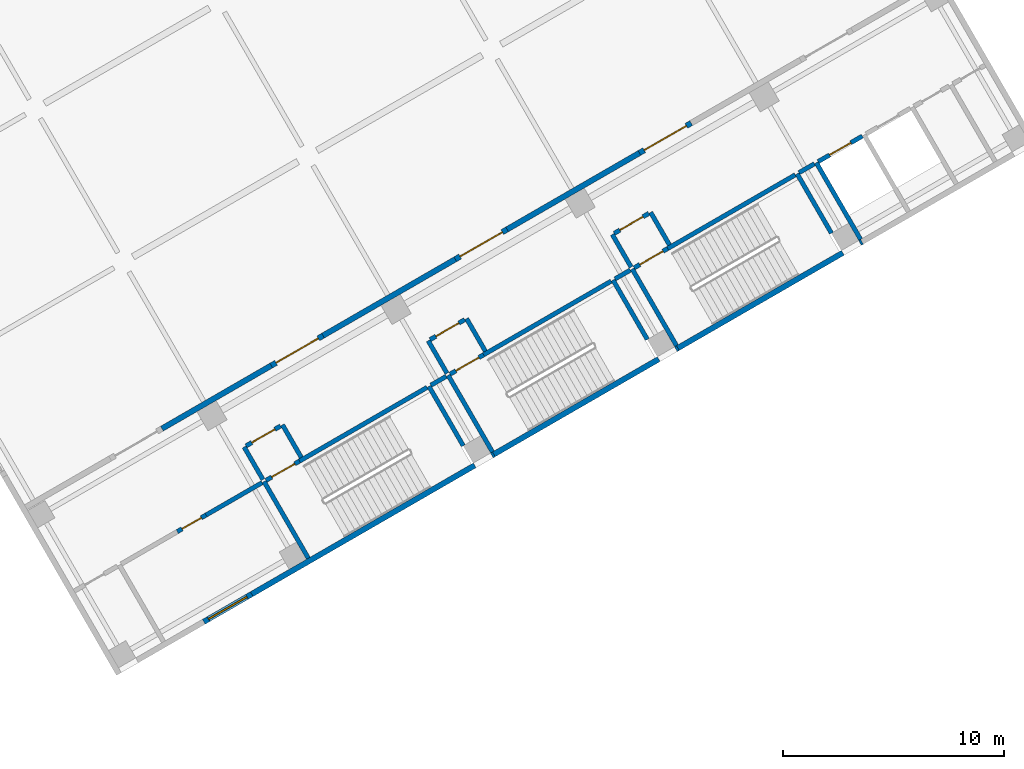
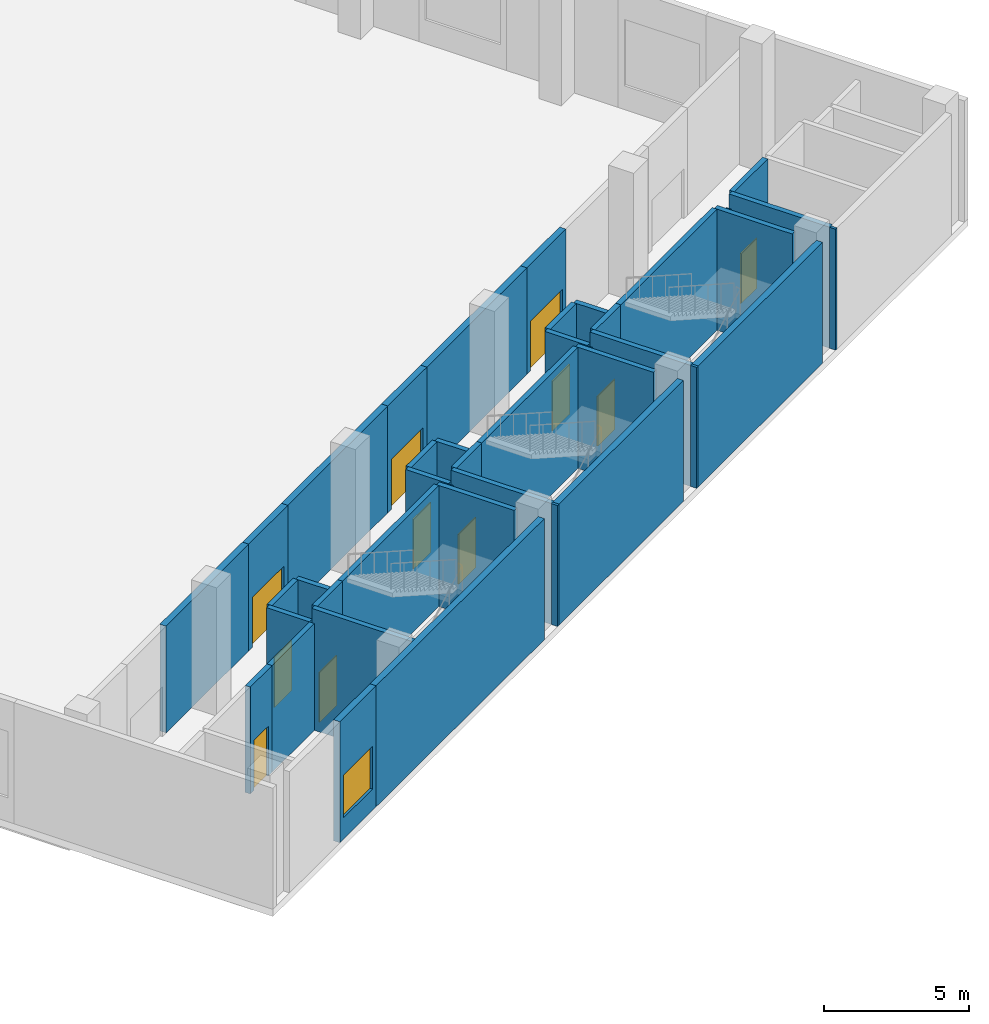
# One storey, part 21 of 35: 41 walls, 11 doors, 1 window, 12 openings.
"""IFC4 building model written with IfcOpenShell, lengths in metres."""

from ifc_helpers import new_model, si_unit, direction, frame, frame_2d, origin, place, context, subcontext, project, spatial, rectangle, extrude, material, layer, layer_set, type_object, element, fill, save


model = new_model("IFC4")

# Units and contexts
model_context = context("Model", 3, precision=1e-05, world=origin(), true_north=direction((0.0, 1.0)))
body_context = subcontext(model_context, "Body", "Model", "MODEL_VIEW")
ifc_project = project(units=[si_unit("LENGTHUNIT", "METRE"), si_unit("AREAUNIT", "SQUARE_METRE"), si_unit("VOLUMEUNIT", "CUBIC_METRE"), si_unit("PLANEANGLEUNIT", "RADIAN"), si_unit("MASSUNIT", "GRAM", prefix="KILO")], contexts=[model_context])

# Site, building, storey
site_placement = place(None, origin())
site = spatial("IfcSite", under=ifc_project, at=site_placement, CompositionType="ELEMENT")
building_placement = place(site_placement, origin())
building = spatial("IfcBuilding", under=site, at=building_placement, Name="Mestral Congress Tower", CompositionType="ELEMENT")
storey_placement = place(building_placement, frame((0.0, 0.0, 6.0)))
storey = spatial("IfcBuildingStorey", under=building, at=storey_placement, Name="L01", CompositionType="ELEMENT", Elevation=6.0)

# Wall, opening, window
ifc_material_1 = material(Name="Precast concrete C40/50 with limestone facing", Category="masonry")
ifc_layer_1 = layer(ifc_material_1, 0.25)
ifc_layer_set_1 = layer_set([ifc_layer_1], Name="Precast concrete C40/50 with limestone facing")
wall_type_1 = type_object("IfcWallType", Name="Podium external wall 250", PredefinedType="SOLIDWALL", material=ifc_layer_set_1)
wall_1_placement = place(storey_placement, frame((48.562255859375, -18.006103515625, 0.0), z_axis=(0.0, 0.0, 1.0), x_axis=(-0.866022959057, -0.500004234368, 0.0)))
wall_1 = element("IfcWall", 1, at=wall_1_placement, inside=storey, type_object=wall_type_1, Name="L01 external wall", PredefinedType="SOLIDWALL", context=body_context, shape_type="SweptSolid", body=[
    extrude(rectangle(XDim=2.5, YDim=0.25, at=frame_2d((1.25, 0.0))), origin(), (0.0, 0.0, 1.0), 5.10009765625),
])
opening_1_placement = place(wall_1_placement, frame((0.25, 0.0, 0.89990234375)))
opening_1 = element("IfcOpeningElement", 2, at=opening_1_placement, cuts=wall_1, Name="Opening PW-2000x1800", PredefinedType="OPENING", context=body_context, shape_type="SweptSolid", body=[
    extrude(rectangle(XDim=2.0, YDim=1.800048828125, at=frame_2d((1.0, 0.89990234375))), frame((0.0, 0.135009765625, 0.0), z_axis=(0.0, -1.0, 0.0), x_axis=(1.0, 0.0, 0.0)), (0.0, 0.0, 1.0), 0.27001953125),
])
ifc_material_2 = material(Name="Aluminium frame, clear double glazing", Category="aluminium")
window_type = type_object("IfcWindowType", Name="Podium window 2000x1800 sill 900", PartitioningType="SINGLE_PANEL", PredefinedType="WINDOW", material=ifc_material_2)
window_placement = place(opening_1_placement, origin())
window = element("IfcWindow", 3, at=window_placement, inside=storey, type_object=window_type, Name="Window", OverallHeight=1.800048828125, OverallWidth=2.0, PartitioningType="SINGLE_PANEL", PredefinedType="WINDOW", context=body_context, shape_type="SweptSolid", body=[
    extrude(rectangle(XDim=2.0, YDim=1.800048828125, at=frame_2d((1.0, 0.89990234375))), frame((0.0, 0.030029296875, 0.0), z_axis=(0.0, -1.0, 0.0), x_axis=(1.0, 0.0, 0.0)), (0.0, 0.0, 1.0), 0.06005859375),
])
fill(opening_1, window)

# Walls
wall_2_placement = place(storey_placement, frame((58.6298828125, -12.193603515625, 0.0), z_axis=(0.0, 0.0, 1.0), x_axis=(-0.866027159341, -0.499996959274, 0.0)))
element("IfcWall", 4, at=wall_2_placement, inside=storey, type_object=wall_type_1, Name="L01 external wall", PredefinedType="SOLIDWALL", context=body_context, shape_type="SweptSolid", body=[
    extrude(rectangle(XDim=11.625, YDim=0.25, at=frame_2d((5.8125, 0.0))), origin(), (0.0, 0.0, 1.0), 5.10009765625),
])
wall_3_placement = place(storey_placement, frame((66.943603515625, -7.393798828125, 0.0), z_axis=(0.0, 0.0, 1.0), x_axis=(-0.866033360935, -0.499986217557, 0.0)))
element("IfcWall", 5, at=wall_3_placement, inside=storey, type_object=wall_type_1, Name="L01 external wall", PredefinedType="SOLIDWALL", context=body_context, shape_type="SweptSolid", body=[
    extrude(rectangle(XDim=8.599853515625, YDim=0.25, at=frame_2d((4.2998046875, 0.0))), origin(), (0.0, 0.0, 1.0), 5.10009765625),
])
wall_4_placement = place(storey_placement, frame((75.257568359375, -2.59375, 0.0), z_axis=(0.0, 0.0, 1.0), x_axis=(-0.866028165386, -0.499995216735, 0.0)))
element("IfcWall", 6, at=wall_4_placement, inside=storey, type_object=wall_type_1, Name="L01 external wall", PredefinedType="SOLIDWALL", context=body_context, shape_type="SweptSolid", body=[
    extrude(rectangle(XDim=8.60009765625, YDim=0.25, at=frame_2d((4.300048828125, 0.0))), origin(), (0.0, 0.0, 1.0), 5.10009765625),
])
wall_5_placement = place(storey_placement, frame((59.495849609375, -11.693603515625, 0.0), z_axis=(0.0, 0.0, 1.0), x_axis=(-0.865982457891, -0.500074377092, 0.0)))
element("IfcWall", 7, at=wall_5_placement, inside=storey, type_object=wall_type_1, Name="L01 external wall", PredefinedType="SOLIDWALL", context=body_context, shape_type="SweptSolid", body=[
    extrude(rectangle(XDim=0.10009765625, YDim=0.25, at=frame_2d((0.050048828125, 0.0))), origin(), (0.0, 0.0, 1.0), 5.10009765625),
])
wall_6_placement = place(storey_placement, frame((67.8095703125, -6.893798828125, 0.0), z_axis=(0.0, 0.0, 1.0), x_axis=(-0.867038199201, -0.4982416694, 0.0)))
element("IfcWall", 8, at=wall_6_placement, inside=storey, type_object=wall_type_1, Name="L01 external wall", PredefinedType="SOLIDWALL", context=body_context, shape_type="SweptSolid", body=[
    extrude(rectangle(XDim=0.099853515625, YDim=0.25, at=frame_2d((0.0498046875, 0.0))), origin(), (0.0, 0.0, 1.0), 5.10009765625),
])
wall_7_placement = place(storey_placement, frame((76.12353515625, -2.09375, 0.0), z_axis=(0.0, 0.0, 1.0), x_axis=(-0.865982457891, -0.500074377092, 0.0)))
element("IfcWall", 9, at=wall_7_placement, inside=storey, type_object=wall_type_1, Name="L01 external wall", PredefinedType="SOLIDWALL", context=body_context, shape_type="SweptSolid", body=[
    extrude(rectangle(XDim=0.10009765625, YDim=0.25, at=frame_2d((0.050048828125, 0.0))), origin(), (0.0, 0.0, 1.0), 5.10009765625),
])
ifc_material_3 = material(Name="Masonry block wall", Category="masonry")
ifc_layer_2 = layer(ifc_material_3, 0.25)
ifc_layer_set_2 = layer_set([ifc_layer_2], Name="Masonry block wall")
wall_type_2 = type_object("IfcWallType", Name="Podium hall wall 250 EI 180", PredefinedType="SOLIDWALL", material=ifc_layer_set_2)
wall_8_placement = place(storey_placement, frame((44.507080078125, -10.532470703125, 0.0), z_axis=(0.0, 0.0, 1.0), x_axis=(0.866033658841, 0.49998570155, 0.0)))
element("IfcWall", 10, at=wall_8_placement, inside=storey, type_object=wall_type_2, Name="L01 partition", PredefinedType="SOLIDWALL", context=body_context, shape_type="SweptSolid", body=[
    extrude(rectangle(XDim=5.699951171875, YDim=0.25, at=frame_2d((2.85009765625, 0.0))), origin(), (0.0, 0.0, 1.0), 4.5),
])

# Wall, opening, door
wall_9_placement = place(storey_placement, frame((51.78173828125, -6.33251953125, 0.0), z_axis=(0.0, 0.0, 1.0), x_axis=(-0.866019956843, -0.50000943426, 0.0)))
wall_9 = element("IfcWall", 11, at=wall_9_placement, inside=storey, type_object=wall_type_2, Name="L01 partition", PredefinedType="SOLIDWALL", context=body_context, shape_type="SweptSolid", body=[
    extrude(rectangle(XDim=2.7001953125, YDim=0.25, at=frame_2d((1.35009765625, 0.0))), origin(), (0.0, 0.0, 1.0), 4.5),
])
opening_2_placement = place(wall_9_placement, frame((0.25, 0.0, 0.0)))
opening_2 = element("IfcOpeningElement", 12, at=opening_2_placement, cuts=wall_9, Name="Opening P01-018", PredefinedType="OPENING", context=body_context, shape_type="SweptSolid", body=[
    extrude(rectangle(XDim=2.199951171875, YDim=2.10009765625, at=frame_2d((1.10009765625, 1.050048828125))), frame((0.0, 0.135009765625, 0.0), z_axis=(0.0, -1.0, 0.0), x_axis=(1.0, 0.0, 0.0)), (0.0, 0.0, 1.0), 0.27001953125),
])
ifc_material_4 = material(Name="Fire-rated steel door set", Category="steel")
door_type_1 = type_object("IfcDoorType", Name="Podium hall door 2200x2100 EI2 90-C5", OperationType="DOUBLE_DOOR_SINGLE_SWING", PredefinedType="DOOR", material=ifc_material_4)
door_1_placement = place(opening_2_placement, origin())
door_1 = element("IfcDoor", 13, at=door_1_placement, inside=storey, type_object=door_type_1, Name="Door P01-018", OperationType="DOUBLE_DOOR_SINGLE_SWING", OverallHeight=2.10009765625, OverallWidth=2.199951171875, PredefinedType="DOOR", context=body_context, shape_type="SweptSolid", body=[
    extrude(rectangle(XDim=2.199951171875, YDim=2.10009765625, at=frame_2d((1.10009765625, 1.050048828125))), frame((0.0, 0.02490234375, 0.0), z_axis=(0.0, -1.0, 0.0), x_axis=(1.0, 0.0, 0.0)), (0.0, 0.0, 1.0), 0.050048828125),
])
fill(opening_2, door_1)

# Wall
wall_10_placement = place(storey_placement, frame((51.78173828125, -6.33251953125, 0.0), z_axis=(0.0, 0.0, 1.0), x_axis=(0.866028853923, 0.499994024137, 0.0)))
element("IfcWall", 14, at=wall_10_placement, inside=storey, type_object=wall_type_2, Name="L01 partition", PredefinedType="SOLIDWALL", context=body_context, shape_type="SweptSolid", body=[
    extrude(rectangle(XDim=6.89990234375, YDim=0.25, at=frame_2d((3.449951171875, 0.0))), origin(), (0.0, 0.0, 1.0), 4.5),
])

# Wall, opening, door
wall_11_placement = place(storey_placement, frame((60.095458984375, -1.532470703125, 0.0), z_axis=(0.0, 0.0, 1.0), x_axis=(-0.86599734893, -0.500048589285, 0.0)))
wall_11 = element("IfcWall", 15, at=wall_11_placement, inside=storey, type_object=wall_type_2, Name="L01 partition", PredefinedType="SOLIDWALL", context=body_context, shape_type="SweptSolid", body=[
    extrude(rectangle(XDim=2.699951171875, YDim=0.25, at=frame_2d((1.35009765625, 0.0))), origin(), (0.0, 0.0, 1.0), 4.5),
])
opening_3_placement = place(wall_11_placement, frame((0.25, 0.0, 0.0)))
opening_3 = element("IfcOpeningElement", 16, at=opening_3_placement, cuts=wall_11, Name="Opening P01-019", PredefinedType="OPENING", context=body_context, shape_type="SweptSolid", body=[
    extrude(rectangle(XDim=2.199951171875, YDim=2.10009765625, at=frame_2d((1.10009765625, 1.050048828125))), frame((0.0, 0.135009765625, 0.0), z_axis=(0.0, -1.0, 0.0), x_axis=(1.0, 0.0, 0.0)), (0.0, 0.0, 1.0), 0.27001953125),
])
door_2_placement = place(opening_3_placement, origin())
door_2 = element("IfcDoor", 17, at=door_2_placement, inside=storey, type_object=door_type_1, Name="Door P01-019", OperationType="DOUBLE_DOOR_SINGLE_SWING", OverallHeight=2.10009765625, OverallWidth=2.199951171875, PredefinedType="DOOR", context=body_context, shape_type="SweptSolid", body=[
    extrude(rectangle(XDim=2.199951171875, YDim=2.10009765625, at=frame_2d((1.10009765625, 1.050048828125))), frame((0.0, 0.02490234375, 0.0), z_axis=(0.0, -1.0, 0.0), x_axis=(1.0, 0.0, 0.0)), (0.0, 0.0, 1.0), 0.050048828125),
])
fill(opening_3, door_2)

# Wall
wall_12_placement = place(storey_placement, frame((60.095458984375, -1.532470703125, 0.0), z_axis=(0.0, 0.0, 1.0), x_axis=(0.866028853923, 0.499994024137, 0.0)))
element("IfcWall", 18, at=wall_12_placement, inside=storey, type_object=wall_type_2, Name="L01 partition", PredefinedType="SOLIDWALL", context=body_context, shape_type="SweptSolid", body=[
    extrude(rectangle(XDim=6.89990234375, YDim=0.25, at=frame_2d((3.449951171875, 0.0))), origin(), (0.0, 0.0, 1.0), 4.5),
])

# Wall, opening, door
wall_13_placement = place(storey_placement, frame((68.409423828125, 3.267578125, 0.0), z_axis=(0.0, 0.0, 1.0), x_axis=(-0.866019956843, -0.50000943426, 0.0)))
wall_13 = element("IfcWall", 19, at=wall_13_placement, inside=storey, type_object=wall_type_2, Name="L01 partition", PredefinedType="SOLIDWALL", context=body_context, shape_type="SweptSolid", body=[
    extrude(rectangle(XDim=2.7001953125, YDim=0.25, at=frame_2d((1.35009765625, 0.0))), origin(), (0.0, 0.0, 1.0), 4.5),
])
opening_4_placement = place(wall_13_placement, frame((0.25, 0.0, 0.0)))
opening_4 = element("IfcOpeningElement", 20, at=opening_4_placement, cuts=wall_13, Name="Opening P01-020", PredefinedType="OPENING", context=body_context, shape_type="SweptSolid", body=[
    extrude(rectangle(XDim=2.199951171875, YDim=2.10009765625, at=frame_2d((1.10009765625, 1.050048828125))), frame((0.0, 0.135009765625, 0.0), z_axis=(0.0, -1.0, 0.0), x_axis=(1.0, 0.0, 0.0)), (0.0, 0.0, 1.0), 0.27001953125),
])
door_3_placement = place(opening_4_placement, origin())
door_3 = element("IfcDoor", 21, at=door_3_placement, inside=storey, type_object=door_type_1, Name="Door P01-020", OperationType="DOUBLE_DOOR_SINGLE_SWING", OverallHeight=2.10009765625, OverallWidth=2.199951171875, PredefinedType="DOOR", context=body_context, shape_type="SweptSolid", body=[
    extrude(rectangle(XDim=2.199951171875, YDim=2.10009765625, at=frame_2d((1.10009765625, 1.050048828125))), frame((0.0, 0.02490234375, 0.0), z_axis=(0.0, -1.0, 0.0), x_axis=(1.0, 0.0, 0.0)), (0.0, 0.0, 1.0), 0.050048828125),
])
fill(opening_4, door_3)

# Walls
ifc_layer_3 = layer(ifc_material_3, 0.199951171875)
ifc_layer_set_3 = layer_set([ifc_layer_3], Name="Masonry block wall")
wall_type_3 = type_object("IfcWallType", Name="Podium stair enclosure wall 200 EI 120 load-bearing", PredefinedType="SOLIDWALL", material=ifc_layer_set_3)
wall_14_placement = place(storey_placement, frame((51.119384765625, -16.385498046875, 0.0), z_axis=(0.0, 0.0, 1.0), x_axis=(-0.49999894854, 0.866026010844, 0.0)))
element("IfcWall", 22, at=wall_14_placement, inside=storey, type_object=wall_type_3, Name="L01 partition", PredefinedType="SOLIDWALL", context=body_context, shape_type="SweptSolid", body=[
    extrude(rectangle(XDim=4.0, YDim=0.199951171875, at=frame_2d((2.0, 0.0))), origin(), (0.0, 0.0, 1.0), 5.10009765625),
])
wall_15_placement = place(storey_placement, frame((58.1171875, -11.30615234375, 0.0), z_axis=(0.0, 0.0, 1.0), x_axis=(-0.499933790963, 0.866063626216, 0.0)))
element("IfcWall", 23, at=wall_15_placement, inside=storey, type_object=wall_type_3, Name="L01 partition", PredefinedType="SOLIDWALL", context=body_context, shape_type="SweptSolid", body=[
    extrude(rectangle(XDim=3.10009765625, YDim=0.199951171875, at=frame_2d((1.550048828125, 0.0))), origin(), (0.0, 0.0, 1.0), 5.10009765625),
])
wall_16_placement = place(storey_placement, frame((59.433349609375, -11.58544921875, 0.0), z_axis=(0.0, 0.0, 1.0), x_axis=(-0.49999894854, 0.866026010844, 0.0)))
element("IfcWall", 24, at=wall_16_placement, inside=storey, type_object=wall_type_3, Name="L01 partition", PredefinedType="SOLIDWALL", context=body_context, shape_type="SweptSolid", body=[
    extrude(rectangle(XDim=4.0, YDim=0.199951171875, at=frame_2d((2.0, 0.0))), origin(), (0.0, 0.0, 1.0), 5.10009765625),
])
wall_17_placement = place(storey_placement, frame((66.43115234375, -6.506103515625, 0.0), z_axis=(0.0, 0.0, 1.0), x_axis=(-0.49999285859, 0.86602952684, 0.0)))
element("IfcWall", 25, at=wall_17_placement, inside=storey, type_object=wall_type_3, Name="L01 partition", PredefinedType="SOLIDWALL", context=body_context, shape_type="SweptSolid", body=[
    extrude(rectangle(XDim=3.10009765625, YDim=0.199951171875, at=frame_2d((1.550048828125, 0.0))), origin(), (0.0, 0.0, 1.0), 5.10009765625),
])
wall_18_placement = place(storey_placement, frame((67.7470703125, -6.785400390625, 0.0), z_axis=(0.0, 0.0, 1.0), x_axis=(-0.49999894854, 0.866026010844, 0.0)))
element("IfcWall", 26, at=wall_18_placement, inside=storey, type_object=wall_type_3, Name="L01 partition", PredefinedType="SOLIDWALL", context=body_context, shape_type="SweptSolid", body=[
    extrude(rectangle(XDim=4.0, YDim=0.199951171875, at=frame_2d((2.0, 0.0))), origin(), (0.0, 0.0, 1.0), 5.10009765625),
])
wall_19_placement = place(storey_placement, frame((74.7451171875, -1.7060546875, 0.0), z_axis=(0.0, 0.0, 1.0), x_axis=(-0.500026960575, 0.86600983753, 0.0)))
element("IfcWall", 27, at=wall_19_placement, inside=storey, type_object=wall_type_3, Name="L01 partition", PredefinedType="SOLIDWALL", context=body_context, shape_type="SweptSolid", body=[
    extrude(rectangle(XDim=3.099853515625, YDim=0.199951171875, at=frame_2d((1.5498046875, 0.0))), origin(), (0.0, 0.0, 1.0), 5.10009765625),
])

# Wall, opening, door
wall_20_placement = place(storey_placement, frame((50.7216796875, -11.996337890625, 0.0), z_axis=(0.0, 0.0, 1.0), x_axis=(-0.866036909293, -0.499980071345, 0.0)))
wall_20 = element("IfcWall", 28, at=wall_20_placement, inside=storey, type_object=wall_type_3, Name="L01 partition", PredefinedType="SOLIDWALL", context=body_context, shape_type="SweptSolid", body=[
    extrude(rectangle(XDim=1.75, YDim=0.199951171875, at=frame_2d((0.875, 0.0))), origin(), (0.0, 0.0, 1.0), 5.10009765625),
])
opening_5_placement = place(wall_20_placement, frame((0.25, 0.0, 0.0)))
opening_5 = element("IfcOpeningElement", 29, at=opening_5_placement, cuts=wall_20, Name="Opening P01-001", PredefinedType="OPENING", context=body_context, shape_type="SweptSolid", body=[
    extrude(rectangle(XDim=1.199951171875, YDim=2.10009765625, at=frame_2d((0.60009765625, 1.050048828125))), frame((0.0, 0.10986328125, 0.0), z_axis=(0.0, -1.0, 0.0), x_axis=(1.0, 0.0, 0.0)), (0.0, 0.0, 1.0), 0.219970703125),
])
door_type_2 = type_object("IfcDoorType", Name="Podium stair door 1200x2100 EI2 30-C5", OperationType="SINGLE_SWING_LEFT", PredefinedType="DOOR", material=ifc_material_4)
door_4_placement = place(opening_5_placement, origin())
door_4 = element("IfcDoor", 30, at=door_4_placement, inside=storey, type_object=door_type_2, Name="Door P01-001", OperationType="SINGLE_SWING_LEFT", OverallHeight=2.10009765625, OverallWidth=1.199951171875, PredefinedType="DOOR", context=body_context, shape_type="SweptSolid", body=[
    extrude(rectangle(XDim=1.199951171875, YDim=2.10009765625, at=frame_2d((0.60009765625, 1.050048828125))), frame((0.0, 0.02490234375, 0.0), z_axis=(0.0, -1.0, 0.0), x_axis=(1.0, 0.0, 0.0)), (0.0, 0.0, 1.0), 0.050048828125),
])
fill(opening_5, door_4)

# Wall
wall_21_placement = place(storey_placement, frame((50.7216796875, -11.996337890625, 0.0), z_axis=(0.0, 0.0, 1.0), x_axis=(0.866027239912, 0.49999681972, 0.0)))
element("IfcWall", 31, at=wall_21_placement, inside=storey, type_object=wall_type_3, Name="L01 partition", PredefinedType="SOLIDWALL", context=body_context, shape_type="SweptSolid", body=[
    extrude(rectangle(XDim=6.64990234375, YDim=0.199951171875, at=frame_2d((3.324951171875, 0.0))), origin(), (0.0, 0.0, 1.0), 5.10009765625),
])

# Wall, opening, door
wall_22_placement = place(storey_placement, frame((59.035400390625, -7.1962890625, 0.0), z_axis=(0.0, 0.0, 1.0), x_axis=(-0.866002029911, -0.500040482552, 0.0)))
wall_22 = element("IfcWall", 32, at=wall_22_placement, inside=storey, type_object=wall_type_3, Name="L01 partition", PredefinedType="SOLIDWALL", context=body_context, shape_type="SweptSolid", body=[
    extrude(rectangle(XDim=1.749755859375, YDim=0.199951171875, at=frame_2d((0.875, 0.0))), origin(), (0.0, 0.0, 1.0), 5.10009765625),
])
opening_6_placement = place(wall_22_placement, frame((0.25, 0.0, 0.0)))
opening_6 = element("IfcOpeningElement", 33, at=opening_6_placement, cuts=wall_22, Name="Opening P01-002", PredefinedType="OPENING", context=body_context, shape_type="SweptSolid", body=[
    extrude(rectangle(XDim=1.199951171875, YDim=2.10009765625, at=frame_2d((0.60009765625, 1.050048828125))), frame((0.0, 0.10986328125, 0.0), z_axis=(0.0, -1.0, 0.0), x_axis=(1.0, 0.0, 0.0)), (0.0, 0.0, 1.0), 0.219970703125),
])
door_5_placement = place(opening_6_placement, origin())
door_5 = element("IfcDoor", 34, at=door_5_placement, inside=storey, type_object=door_type_2, Name="Door P01-002", OperationType="SINGLE_SWING_LEFT", OverallHeight=2.10009765625, OverallWidth=1.199951171875, PredefinedType="DOOR", context=body_context, shape_type="SweptSolid", body=[
    extrude(rectangle(XDim=1.199951171875, YDim=2.10009765625, at=frame_2d((0.60009765625, 1.050048828125))), frame((0.0, 0.02490234375, 0.0), z_axis=(0.0, -1.0, 0.0), x_axis=(1.0, 0.0, 0.0)), (0.0, 0.0, 1.0), 0.050048828125),
])
fill(opening_6, door_5)

# Wall
wall_23_placement = place(storey_placement, frame((59.035400390625, -7.1962890625, 0.0), z_axis=(0.0, 0.0, 1.0), x_axis=(0.866027239912, 0.49999681972, 0.0)))
element("IfcWall", 35, at=wall_23_placement, inside=storey, type_object=wall_type_3, Name="L01 partition", PredefinedType="SOLIDWALL", context=body_context, shape_type="SweptSolid", body=[
    extrude(rectangle(XDim=6.64990234375, YDim=0.199951171875, at=frame_2d((3.324951171875, 0.0))), origin(), (0.0, 0.0, 1.0), 5.10009765625),
])

# Wall, opening, door
wall_24_placement = place(storey_placement, frame((67.349365234375, -2.396484375, 0.0), z_axis=(0.0, 0.0, 1.0), x_axis=(-0.866036909293, -0.499980071345, 0.0)))
wall_24 = element("IfcWall", 36, at=wall_24_placement, inside=storey, type_object=wall_type_3, Name="L01 partition", PredefinedType="SOLIDWALL", context=body_context, shape_type="SweptSolid", body=[
    extrude(rectangle(XDim=1.75, YDim=0.199951171875, at=frame_2d((0.875, 0.0))), origin(), (0.0, 0.0, 1.0), 5.10009765625),
])
opening_7_placement = place(wall_24_placement, frame((0.25, 0.0, 0.0)))
opening_7 = element("IfcOpeningElement", 37, at=opening_7_placement, cuts=wall_24, Name="Opening P01-003", PredefinedType="OPENING", context=body_context, shape_type="SweptSolid", body=[
    extrude(rectangle(XDim=1.199951171875, YDim=2.10009765625, at=frame_2d((0.60009765625, 1.050048828125))), frame((0.0, 0.10986328125, 0.0), z_axis=(0.0, -1.0, 0.0), x_axis=(1.0, 0.0, 0.0)), (0.0, 0.0, 1.0), 0.219970703125),
])
door_6_placement = place(opening_7_placement, origin())
door_6 = element("IfcDoor", 38, at=door_6_placement, inside=storey, type_object=door_type_2, Name="Door P01-003", OperationType="SINGLE_SWING_LEFT", OverallHeight=2.10009765625, OverallWidth=1.199951171875, PredefinedType="DOOR", context=body_context, shape_type="SweptSolid", body=[
    extrude(rectangle(XDim=1.199951171875, YDim=2.10009765625, at=frame_2d((0.60009765625, 1.050048828125))), frame((0.0, 0.02490234375, 0.0), z_axis=(0.0, -1.0, 0.0), x_axis=(1.0, 0.0, 0.0)), (0.0, 0.0, 1.0), 0.050048828125),
])
fill(opening_7, door_6)

# Walls
wall_25_placement = place(storey_placement, frame((67.349365234375, -2.396484375, 0.0), z_axis=(0.0, 0.0, 1.0), x_axis=(0.86601134256, 0.500024353964, 0.0)))
element("IfcWall", 39, at=wall_25_placement, inside=storey, type_object=wall_type_3, Name="L01 partition", PredefinedType="SOLIDWALL", context=body_context, shape_type="SweptSolid", body=[
    extrude(rectangle(XDim=6.650146484375, YDim=0.199951171875, at=frame_2d((3.3251953125, 0.0))), origin(), (0.0, 0.0, 1.0), 5.10009765625),
])
wall_26_placement = place(storey_placement, frame((76.06103515625, -1.985595703125, 0.0), z_axis=(0.0, 0.0, 1.0), x_axis=(-0.49999894854, 0.866026010844, 0.0)))
element("IfcWall", 40, at=wall_26_placement, inside=storey, type_object=wall_type_3, Name="L01 partition", PredefinedType="SOLIDWALL", context=body_context, shape_type="SweptSolid", body=[
    extrude(rectangle(XDim=4.0, YDim=0.199951171875, at=frame_2d((2.0, 0.0))), origin(), (0.0, 0.0, 1.0), 5.10009765625),
])

# Wall, opening, door
wall_27_placement = place(storey_placement, frame((76.139404296875, 2.6787109375, 0.0), z_axis=(0.0, 0.0, 1.0), x_axis=(-0.865980515519, -0.500077740698, 0.0)))
wall_27 = element("IfcWall", 41, at=wall_27_placement, inside=storey, type_object=wall_type_3, Name="L01 partition", PredefinedType="SOLIDWALL", context=body_context, shape_type="SweptSolid", body=[
    extrude(rectangle(XDim=2.300048828125, YDim=0.199951171875, at=frame_2d((1.14990234375, 0.0))), origin(), (0.0, 0.0, 1.0), 5.10009765625),
])
opening_8_placement = place(wall_27_placement, frame((0.60009765625, 0.0, 0.0)))
opening_8 = element("IfcOpeningElement", 42, at=opening_8_placement, cuts=wall_27, Name="Opening P01-007", PredefinedType="OPENING", context=body_context, shape_type="SweptSolid", body=[
    extrude(rectangle(XDim=1.10009765625, YDim=2.10009765625, at=frame_2d((0.550048828125, 1.050048828125))), frame((0.0, 0.10986328125, 0.0), z_axis=(0.0, -1.0, 0.0), x_axis=(1.0, 0.0, 0.0)), (0.0, 0.0, 1.0), 0.219970703125),
])
door_type_3 = type_object("IfcDoorType", Name="Podium lift landing door 1100x2100 EI2 60-C5", OperationType="DOUBLE_DOOR_SLIDING", PredefinedType="DOOR", material=ifc_material_4)
door_7_placement = place(opening_8_placement, origin())
door_7 = element("IfcDoor", 43, at=door_7_placement, inside=storey, type_object=door_type_3, Name="Door P01-007", OperationType="DOUBLE_DOOR_SLIDING", OverallHeight=2.10009765625, OverallWidth=1.10009765625, PredefinedType="DOOR", context=body_context, shape_type="SweptSolid", body=[
    extrude(rectangle(XDim=1.10009765625, YDim=2.10009765625, at=frame_2d((0.550048828125, 1.050048828125))), frame((0.0, 0.02490234375, 0.0), z_axis=(0.0, -1.0, 0.0), x_axis=(1.0, 0.0, 0.0)), (0.0, 0.0, 1.0), 0.050048828125),
])
fill(opening_8, door_7)

# Walls
ifc_material_5 = material(Name="Fire-rated board partition")
ifc_layer_4 = layer(ifc_material_5, 0.199951171875)
ifc_layer_set_4 = layer_set([ifc_layer_4], Name="Fire-rated board partition")
wall_type_4 = type_object("IfcWallType", Name="Podium vestibule wall 200 EI 120", PredefinedType="PARTITIONING", material=ifc_layer_set_4)
for number, where, z_axis, x_axis, name in (
    (44, (49.069580078125, -12.834716796875, 0.0), (0.0, 0.0, 1.0), (-0.500062241894, 0.865989465428, 0.0), "L01 partition"),
    (45, (50.801513671875, -11.834716796875, 0.0), (0.0, 0.0, 1.0), (-0.500062241894, 0.865989465428, 0.0), "L01 partition"),
):
    element("IfcWall", number, at=place(storey_placement, frame(where, z_axis=z_axis, x_axis=x_axis)), inside=storey, type_object=wall_type_4, Name=name, PredefinedType="PARTITIONING", context=body_context, shape_type="SweptSolid", body=[
        extrude(rectangle(XDim=1.699951171875, YDim=0.199951171875, at=frame_2d((0.85009765625, 0.0))), origin(), (0.0, 0.0, 1.0), 4.5),
    ])
for number, where, z_axis, x_axis, name in (
    (46, (57.38330078125, -8.034912109375, 0.0), (0.0, 0.0, 1.0), (-0.500000056704, 0.866025371046, 0.0), "L01 partition"),
    (47, (59.115478515625, -7.034912109375, 0.0), (0.0, 0.0, 1.0), (-0.500000056704, 0.866025371046, 0.0), "L01 partition"),
):
    element("IfcWall", number, at=place(storey_placement, frame(where, z_axis=z_axis, x_axis=x_axis)), inside=storey, type_object=wall_type_4, Name=name, PredefinedType="PARTITIONING", context=body_context, shape_type="SweptSolid", body=[
        extrude(rectangle(XDim=1.7001953125, YDim=0.199951171875, at=frame_2d((0.85009765625, 0.0))), origin(), (0.0, 0.0, 1.0), 4.5),
    ])
wall_28_placement = place(storey_placement, frame((65.697021484375, -3.23486328125, 0.0), z_axis=(0.0, 0.0, 1.0), x_axis=(-0.499892348375, 0.866087547558, 0.0)))
element("IfcWall", 48, at=wall_28_placement, inside=storey, type_object=wall_type_4, Name="L01 partition", PredefinedType="PARTITIONING", context=body_context, shape_type="SweptSolid", body=[
    extrude(rectangle(XDim=1.699951171875, YDim=0.199951171875, at=frame_2d((0.85009765625, 0.0))), origin(), (0.0, 0.0, 1.0), 4.5),
])
wall_29_placement = place(storey_placement, frame((67.42919921875, -2.23486328125, 0.0), z_axis=(0.0, 0.0, 1.0), x_axis=(-0.500000056704, 0.866025371046, 0.0)))
element("IfcWall", 49, at=wall_29_placement, inside=storey, type_object=wall_type_4, Name="L01 partition", PredefinedType="PARTITIONING", context=body_context, shape_type="SweptSolid", body=[
    extrude(rectangle(XDim=1.7001953125, YDim=0.199951171875, at=frame_2d((0.85009765625, 0.0))), origin(), (0.0, 0.0, 1.0), 4.5),
])

# Wall, opening, door
wall_30_placement = place(storey_placement, frame((49.864990234375, -10.41259765625, 0.0), z_axis=(0.0, 0.0, 1.0), x_axis=(-0.866047807691, -0.499961193289, 0.0)))
wall_30 = element("IfcWall", 50, at=wall_30_placement, inside=storey, type_object=wall_type_4, Name="L01 partition", PredefinedType="PARTITIONING", context=body_context, shape_type="SweptSolid", body=[
    extrude(rectangle(XDim=1.800048828125, YDim=0.199951171875, at=frame_2d((0.89990234375, 0.0))), origin(), (0.0, 0.0, 1.0), 4.5),
])
opening_9_placement = place(wall_30_placement, frame((0.300048828125, 0.0, 0.0)))
opening_9 = element("IfcOpeningElement", 51, at=opening_9_placement, cuts=wall_30, Name="Opening P01-011", PredefinedType="OPENING", context=body_context, shape_type="SweptSolid", body=[
    extrude(rectangle(XDim=1.199951171875, YDim=2.10009765625, at=frame_2d((0.60009765625, 1.050048828125))), frame((0.0, 0.10986328125, 0.0), z_axis=(0.0, -1.0, 0.0), x_axis=(1.0, 0.0, 0.0)), (0.0, 0.0, 1.0), 0.219970703125),
])
door_type_4 = type_object("IfcDoorType", Name="Podium vestibule door 1200x2100 EI2 30-C5", OperationType="SINGLE_SWING_LEFT", PredefinedType="DOOR", material=ifc_material_4)
door_8_placement = place(opening_9_placement, origin())
door_8 = element("IfcDoor", 52, at=door_8_placement, inside=storey, type_object=door_type_4, Name="Door P01-011", OperationType="SINGLE_SWING_LEFT", OverallHeight=2.10009765625, OverallWidth=1.199951171875, PredefinedType="DOOR", context=body_context, shape_type="SweptSolid", body=[
    extrude(rectangle(XDim=1.199951171875, YDim=2.10009765625, at=frame_2d((0.60009765625, 1.050048828125))), frame((0.0, 0.02490234375, 0.0), z_axis=(0.0, -1.0, 0.0), x_axis=(1.0, 0.0, 0.0)), (0.0, 0.0, 1.0), 0.050048828125),
])
fill(opening_9, door_8)

wall_31_placement = place(storey_placement, frame((58.1787109375, -5.612548828125, 0.0), z_axis=(0.0, 0.0, 1.0), x_axis=(-0.866047807691, -0.499961193289, 0.0)))
wall_31 = element("IfcWall", 53, at=wall_31_placement, inside=storey, type_object=wall_type_4, Name="L01 partition", PredefinedType="PARTITIONING", context=body_context, shape_type="SweptSolid", body=[
    extrude(rectangle(XDim=1.800048828125, YDim=0.199951171875, at=frame_2d((0.89990234375, 0.0))), origin(), (0.0, 0.0, 1.0), 4.5),
])
opening_10_placement = place(wall_31_placement, frame((0.300048828125, 0.0, 0.0)))
opening_10 = element("IfcOpeningElement", 54, at=opening_10_placement, cuts=wall_31, Name="Opening P01-012", PredefinedType="OPENING", context=body_context, shape_type="SweptSolid", body=[
    extrude(rectangle(XDim=1.199951171875, YDim=2.10009765625, at=frame_2d((0.60009765625, 1.050048828125))), frame((0.0, 0.10986328125, 0.0), z_axis=(0.0, -1.0, 0.0), x_axis=(1.0, 0.0, 0.0)), (0.0, 0.0, 1.0), 0.219970703125),
])
door_9_placement = place(opening_10_placement, origin())
door_9 = element("IfcDoor", 55, at=door_9_placement, inside=storey, type_object=door_type_4, Name="Door P01-012", OperationType="SINGLE_SWING_LEFT", OverallHeight=2.10009765625, OverallWidth=1.199951171875, PredefinedType="DOOR", context=body_context, shape_type="SweptSolid", body=[
    extrude(rectangle(XDim=1.199951171875, YDim=2.10009765625, at=frame_2d((0.60009765625, 1.050048828125))), frame((0.0, 0.02490234375, 0.0), z_axis=(0.0, -1.0, 0.0), x_axis=(1.0, 0.0, 0.0)), (0.0, 0.0, 1.0), 0.050048828125),
])
fill(opening_10, door_9)

wall_32_placement = place(storey_placement, frame((66.49267578125, -0.8125, 0.0), z_axis=(0.0, 0.0, 1.0), x_axis=(-0.866081705922, -0.499902469156, 0.0)))
wall_32 = element("IfcWall", 56, at=wall_32_placement, inside=storey, type_object=wall_type_4, Name="L01 partition", PredefinedType="PARTITIONING", context=body_context, shape_type="SweptSolid", body=[
    extrude(rectangle(XDim=1.800048828125, YDim=0.199951171875, at=frame_2d((0.89990234375, 0.0))), origin(), (0.0, 0.0, 1.0), 4.5),
])
opening_11_placement = place(wall_32_placement, frame((0.300048828125, 0.0, 0.0)))
opening_11 = element("IfcOpeningElement", 57, at=opening_11_placement, cuts=wall_32, Name="Opening P01-013", PredefinedType="OPENING", context=body_context, shape_type="SweptSolid", body=[
    extrude(rectangle(XDim=1.199951171875, YDim=2.10009765625, at=frame_2d((0.60009765625, 1.050048828125))), frame((0.0, 0.10986328125, 0.0), z_axis=(0.0, -1.0, 0.0), x_axis=(1.0, 0.0, 0.0)), (0.0, 0.0, 1.0), 0.219970703125),
])
door_10_placement = place(opening_11_placement, origin())
door_10 = element("IfcDoor", 58, at=door_10_placement, inside=storey, type_object=door_type_4, Name="Door P01-013", OperationType="SINGLE_SWING_LEFT", OverallHeight=2.10009765625, OverallWidth=1.199951171875, PredefinedType="DOOR", context=body_context, shape_type="SweptSolid", body=[
    extrude(rectangle(XDim=1.199951171875, YDim=2.10009765625, at=frame_2d((0.60009765625, 1.050048828125))), frame((0.0, 0.02490234375, 0.0), z_axis=(0.0, -1.0, 0.0), x_axis=(1.0, 0.0, 0.0)), (0.0, 0.0, 1.0), 0.050048828125),
])
fill(opening_11, door_10)

wall_33_placement = place(storey_placement, frame((46.499755859375, -14.433837890625, 0.0), z_axis=(0.0, 0.0, 1.0), x_axis=(-0.866031096941, -0.499990139034, 0.0)))
wall_33 = element("IfcWall", 59, at=wall_33_placement, inside=storey, type_object=wall_type_4, Name="L01 partition", PredefinedType="PARTITIONING", context=body_context, shape_type="SweptSolid", body=[
    extrude(rectangle(XDim=1.5, YDim=0.199951171875, at=frame_2d((0.75, 0.0))), origin(), (0.0, 0.0, 1.0), 4.5),
])
opening_12_placement = place(wall_33_placement, frame((0.25, 0.0, 0.0)))
opening_12 = element("IfcOpeningElement", 60, at=opening_12_placement, cuts=wall_33, Name="Opening P01-033", PredefinedType="OPENING", context=body_context, shape_type="SweptSolid", body=[
    extrude(rectangle(XDim=1.0, YDim=2.10009765625, at=frame_2d((0.5, 1.050048828125))), frame((0.0, 0.10986328125, 0.0), z_axis=(0.0, -1.0, 0.0), x_axis=(1.0, 0.0, 0.0)), (0.0, 0.0, 1.0), 0.219970703125),
])
door_type_5 = type_object("IfcDoorType", Name="Podium room door 1000x2100 EI2 30-C5", OperationType="SINGLE_SWING_LEFT", PredefinedType="DOOR", material=ifc_material_4)
door_11_placement = place(opening_12_placement, origin())
door_11 = element("IfcDoor", 61, at=door_11_placement, inside=storey, type_object=door_type_5, Name="Door P01-033", OperationType="SINGLE_SWING_LEFT", OverallHeight=2.10009765625, OverallWidth=1.0, PredefinedType="DOOR", context=body_context, shape_type="SweptSolid", body=[
    extrude(rectangle(XDim=1.0, YDim=2.10009765625, at=frame_2d((0.5, 1.050048828125))), frame((0.0, 0.02490234375, 0.0), z_axis=(0.0, -1.0, 0.0), x_axis=(1.0, 0.0, 0.0)), (0.0, 0.0, 1.0), 0.050048828125),
])
fill(opening_12, door_11)

# Walls
wall_34_placement = place(storey_placement, frame((46.499755859375, -14.433837890625, 0.0), z_axis=(0.0, 0.0, 1.0), x_axis=(0.866046596414, 0.499963291492, 0.0)))
element("IfcWall", 62, at=wall_34_placement, inside=storey, type_object=wall_type_4, Name="L01 partition", PredefinedType="PARTITIONING", context=body_context, shape_type="SweptSolid", body=[
    extrude(rectangle(XDim=2.925048828125, YDim=0.199951171875, at=frame_2d((1.46240234375, 0.0))), origin(), (0.0, 0.0, 1.0), 4.5),
])
wall_35_placement = place(storey_placement, frame((56.65380859375, -8.5712890625, 0.0), z_axis=(0.0, 0.0, 1.0), x_axis=(0.866094119867, 0.499880961361, 0.0)))
element("IfcWall", 63, at=wall_35_placement, inside=storey, type_object=wall_type_4, Name="L01 partition", PredefinedType="PARTITIONING", context=body_context, shape_type="SweptSolid", body=[
    extrude(rectangle(XDim=0.800048828125, YDim=0.199951171875, at=frame_2d((0.39990234375, 0.0))), origin(), (0.0, 0.0, 1.0), 4.5),
])
wall_36_placement = place(storey_placement, frame((64.9677734375, -3.771484375, 0.0), z_axis=(0.0, 0.0, 1.0), x_axis=(0.865885638426, 0.500242002602, 0.0)))
element("IfcWall", 64, at=wall_36_placement, inside=storey, type_object=wall_type_4, Name="L01 partition", PredefinedType="PARTITIONING", context=body_context, shape_type="SweptSolid", body=[
    extrude(rectangle(XDim=0.7998046875, YDim=0.199951171875, at=frame_2d((0.39990234375, 0.0))), origin(), (0.0, 0.0, 1.0), 4.5),
])
wall_37_placement = place(storey_placement, frame((73.281494140625, 1.028564453125, 0.0), z_axis=(0.0, 0.0, 1.0), x_axis=(0.865961984968, 0.500109828528, 0.0)))
element("IfcWall", 65, at=wall_37_placement, inside=storey, type_object=wall_type_4, Name="L01 partition", PredefinedType="PARTITIONING", context=body_context, shape_type="SweptSolid", body=[
    extrude(rectangle(XDim=0.800048828125, YDim=0.199951171875, at=frame_2d((0.39990234375, 0.0))), origin(), (0.0, 0.0, 1.0), 4.5),
])

save(model, "model.ifc")
